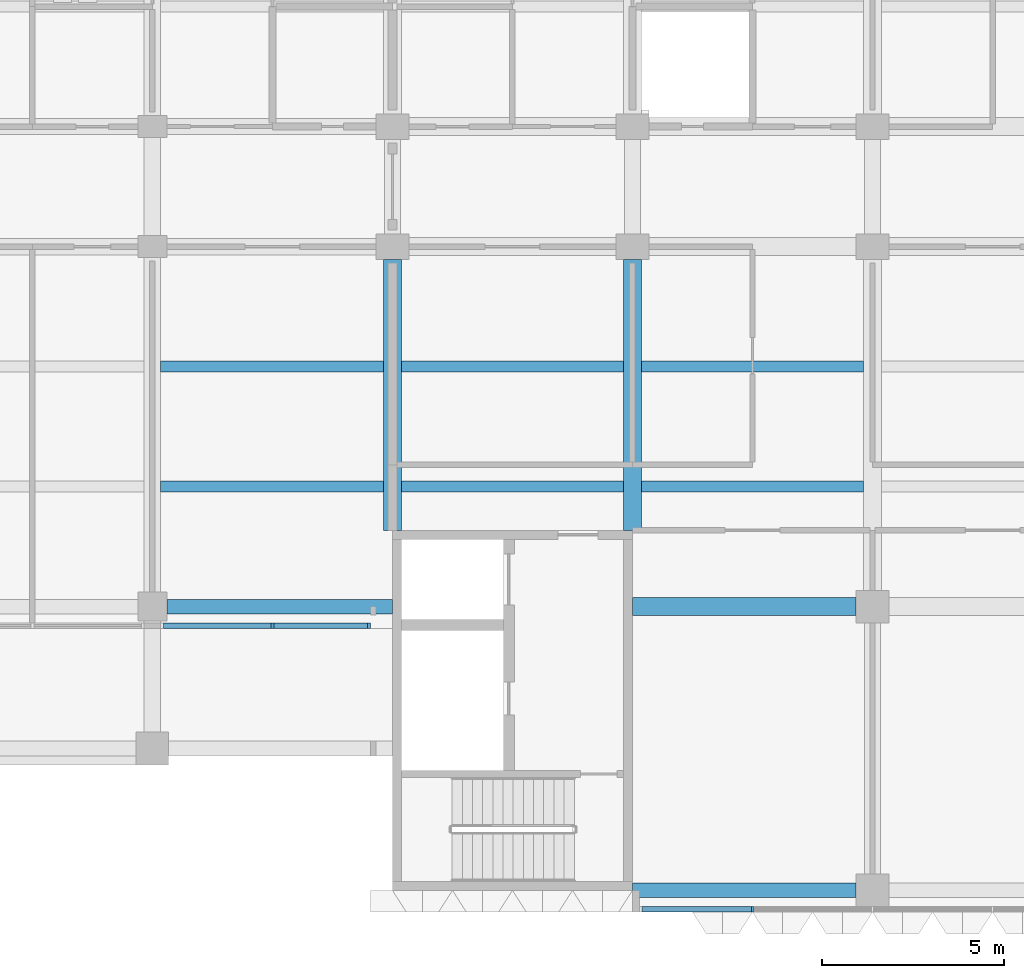
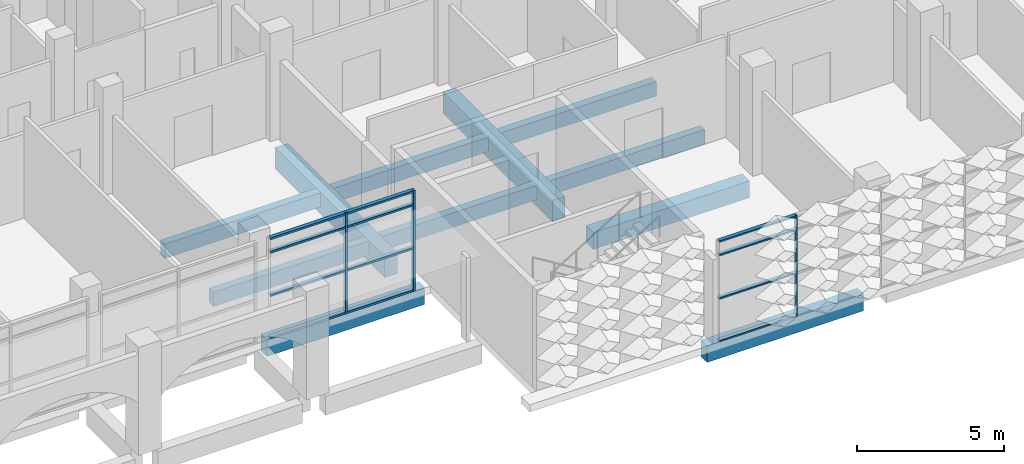
# One storey, part 7 of 87: 15 members, 11 beams, 2 elements without a shape of their own.
"""IFC4 building model written with IfcOpenShell, lengths in metres."""

from ifc_helpers import new_model, si_unit, direction, frame, origin, origin_2d, place, context, subcontext, project, spatial, rectangle, extrude, material, material_profile, profile_set, type_object, element, aggregate, save


model = new_model("IFC4")

# Units and contexts
model_context = context("Model", 3, precision=1e-05, world=origin(), true_north=direction((0.0, 1.0)))
body_context = subcontext(model_context, "Body", "Model", "MODEL_VIEW")
ifc_project = project(units=[si_unit("LENGTHUNIT", "METRE"), si_unit("AREAUNIT", "SQUARE_METRE"), si_unit("VOLUMEUNIT", "CUBIC_METRE"), si_unit("PLANEANGLEUNIT", "RADIAN"), si_unit("MASSUNIT", "GRAM", prefix="KILO")], contexts=[model_context])

# Site, building, storey
site_placement = place(None, origin())
site = spatial("IfcSite", under=ifc_project, at=site_placement, CompositionType="ELEMENT")
building_placement = place(site_placement, origin())
building = spatial("IfcBuilding", under=site, at=building_placement, Name="Lantern Court Research Institute", CompositionType="ELEMENT")
storey_placement = place(building_placement, frame((0.0, 0.0, 5.39990234375)))
storey = spatial("IfcBuildingStorey", under=building, at=storey_placement, Name="L01", CompositionType="ELEMENT", Elevation=5.39990234375)

# Curtain wall, member
ifc_material_1 = material(Name="Aluminium alloy 6063-T6", Category="aluminium")
curtain_wall_type_1 = type_object("IfcCurtainWallType", Name="Curtain wall 20200 x 4200 x 150 aluminium frame", PredefinedType="NOTDEFINED", material=ifc_material_1)
curtain_wall_1_placement = place(storey_placement, origin())
curtain_wall_1 = element("IfcCurtainWall", 1, at=curtain_wall_1_placement, inside=storey, type_object=curtain_wall_type_1, Name="Curtain wall CW033", PredefinedType="NOTDEFINED")
ifc_material_2 = material(Name="Aluminium alloy 6063-T6", Category="aluminium")
ifc_material_profile_1 = material_profile(ifc_material_2, rectangle(XDim=0.14990234375, YDim=0.06005859375, at=origin_2d()), Name="Mullion 150 x 60")
ifc_profile_set_1 = profile_set([ifc_material_profile_1], Name="Aluminium alloy 6063-T6")
member_type_1 = type_object("IfcMemberType", Name="Mullion 150 x 60 aluminium", PredefinedType="MULLION", material=ifc_profile_set_1)
member_1_placement = place(storey_placement, frame((62.699951171875, -8.324951171875, 0.0), z_axis=(0.0, 0.0, 1.0), x_axis=(0.0, -1.0, 0.0)))
member_1 = element("IfcMember", 2, at=member_1_placement, type_object=member_type_1, Name="CW033 mullion 2", PredefinedType="MULLION", context=body_context, shape_type="SweptSolid", body=[
    extrude(rectangle(XDim=0.14990234375, YDim=0.06005859375, at=origin_2d()), origin(), (0.0, 0.0, 1.0), 4.2001953125),
])

# Curtain wall, members
ifc_material_3 = material(Name="Aluminium alloy 6063-T6", Category="aluminium")
curtain_wall_type_2 = type_object("IfcCurtainWallType", Name="Curtain wall 5775 x 4200 x 150 aluminium frame", PredefinedType="NOTDEFINED", material=ifc_material_3)
curtain_wall_2_placement = place(storey_placement, origin())
curtain_wall_2 = element("IfcCurtainWall", 3, at=curtain_wall_2_placement, inside=storey, type_object=curtain_wall_type_2, Name="Curtain wall CW030", PredefinedType="NOTDEFINED")
ifc_material_4 = material(Name="Aluminium alloy 6063-T6", Category="aluminium")
ifc_material_profile_2 = material_profile(ifc_material_4, rectangle(XDim=0.14990234375, YDim=0.080078125, at=origin_2d()), Name="Mullion 150 x 80")
ifc_profile_set_2 = profile_set([ifc_material_profile_2], Name="Aluminium alloy 6063-T6")
member_type_2 = type_object("IfcMemberType", Name="Mullion 150 x 80 aluminium", PredefinedType="MULLION", material=ifc_profile_set_2)
member_2_placement = place(storey_placement, frame((49.5, -0.52490234375, 0.0), z_axis=(0.0, 0.0, 1.0), x_axis=(0.0, -1.0, 0.0)))
member_2 = element("IfcMember", 4, at=member_2_placement, type_object=member_type_2, Name="CW030 mullion 2", PredefinedType="MULLION", context=body_context, shape_type="SweptSolid", body=[
    extrude(rectangle(XDim=0.14990234375, YDim=0.080078125, at=origin_2d()), origin(), (0.0, 0.0, 1.0), 4.2001953125),
])
member_3_placement = place(storey_placement, frame((52.159912109375, -0.52490234375, 0.0), z_axis=(0.0, 0.0, 1.0), x_axis=(0.0, -1.0, 0.0)))
member_3 = element("IfcMember", 5, at=member_3_placement, type_object=member_type_2, Name="CW030 mullion 3", PredefinedType="MULLION", context=body_context, shape_type="SweptSolid", body=[
    extrude(rectangle(XDim=0.14990234375, YDim=0.080078125, at=origin_2d()), origin(), (0.0, 0.0, 1.0), 4.2001953125),
])

# Beams
ifc_material_5 = material(Name="Concrete C40/50", Category="concrete")
ifc_material_profile_3 = material_profile(ifc_material_5, rectangle(XDim=0.5, YDim=0.699951171875, at=origin_2d()), Name="RC beam 500 x 700")
ifc_profile_set_3 = profile_set([ifc_material_profile_3], Name="Concrete C40/50")
beam_type_1 = type_object("IfcBeamType", Name="RC beam 500 x 700", PredefinedType="BEAM", material=ifc_profile_set_3)
beam_1_placement = place(storey_placement, frame((59.39990234375, 0.0, -0.64990234375), z_axis=(1.0, 0.0, 0.0), x_axis=(0.0, 1.0, 0.0)))
element("IfcBeam", 6, at=beam_1_placement, inside=storey, type_object=beam_type_1, Name="Beam L01 grid A/10-11", PredefinedType="BEAM", context=body_context, shape_type="SweptSolid", body=[
    extrude(rectangle(XDim=0.5, YDim=0.699951171875, at=origin_2d()), origin(), (0.0, 0.0, 1.0), 6.150146484375),
])
ifc_material_6 = material(Name="Concrete C40/50", Category="concrete")
ifc_material_profile_4 = material_profile(ifc_material_6, rectangle(XDim=0.39990234375, YDim=0.699951171875, at=origin_2d()), Name="RC beam 400 x 700")
ifc_profile_set_4 = profile_set([ifc_material_profile_4], Name="Concrete C40/50")
beam_type_2 = type_object("IfcBeamType", Name="RC edge beam 400 x 700", PredefinedType="BEAM", material=ifc_profile_set_4)
beam_2_placement = place(storey_placement, frame((46.60009765625, 0.0, -0.64990234375), z_axis=(1.0, 0.0, 0.0), x_axis=(0.0, 1.0, 0.0)))
element("IfcBeam", 7, at=beam_2_placement, inside=storey, type_object=beam_type_2, Name="Edge beam L01 grid A/8-9", PredefinedType="BEAM", context=body_context, shape_type="SweptSolid", body=[
    extrude(rectangle(XDim=0.39990234375, YDim=0.699951171875, at=origin_2d()), origin(), (0.0, 0.0, 1.0), 6.199951171875),
])
beam_3_placement = place(storey_placement, frame((59.39990234375, -7.800048828125, -0.64990234375), z_axis=(1.0, 0.0, 0.0), x_axis=(0.0, 1.0, 0.0)))
element("IfcBeam", 8, at=beam_3_placement, inside=storey, type_object=beam_type_2, Name="Edge beam L01 grid Z/10-11", PredefinedType="BEAM", context=body_context, shape_type="SweptSolid", body=[
    extrude(rectangle(XDim=0.39990234375, YDim=0.699951171875, at=origin_2d()), origin(), (0.0, 0.0, 1.0), 6.150146484375),
])
ifc_material_7 = material(Name="Concrete C40/50", Category="concrete")
ifc_material_profile_5 = material_profile(ifc_material_7, rectangle(XDim=0.5, YDim=0.89990234375, at=origin_2d()), Name="RC beam 500 x 900")
ifc_profile_set_5 = profile_set([ifc_material_profile_5], Name="Concrete C40/50")
beam_type_3 = type_object("IfcBeamType", Name="RC girder 500 x 900", PredefinedType="BEAM", material=ifc_profile_set_5)
for number, where, z_axis, x_axis, name in (
    (9, (52.800048828125, 2.10009765625, -0.75), (0.0, 1.0, 0.0), (-1.0, 0.0, 0.0), "Girder L01 grid 9/A-B"),
    (10, (59.39990234375, 2.10009765625, -0.75), (0.0, 1.0, 0.0), (-1.0, 0.0, 0.0), "Girder L01 grid 10/A-B"),
):
    element("IfcBeam", number, at=place(storey_placement, frame(where, z_axis=z_axis, x_axis=x_axis)), inside=storey, type_object=beam_type_3, Name=name, PredefinedType="BEAM", context=body_context, shape_type="SweptSolid", body=[
        extrude(rectangle(XDim=0.5, YDim=0.89990234375, at=origin_2d()), origin(), (0.0, 0.0, 1.0), 7.449951171875),
    ])
ifc_material_8 = material(Name="Concrete C40/50", Category="concrete")
ifc_material_profile_6 = material_profile(ifc_material_8, rectangle(XDim=0.300048828125, YDim=0.60009765625, at=origin_2d()), Name="RC beam 300 x 600")
ifc_profile_set_6 = profile_set([ifc_material_profile_6], Name="Concrete C40/50")
beam_type_4 = type_object("IfcBeamType", Name="RC secondary beam 300 x 600", PredefinedType="BEAM", material=ifc_profile_set_6)
for number, where, z_axis, x_axis, name in (
    (11, (46.425048828125, 3.300048828125, -0.599853515625), (1.0, 0.0, 0.0), (0.0, 1.0, 0.0), "Secondary beam L01 grids 8-9 / A-B, line 1"),
    (12, (46.425048828125, 6.60009765625, -0.599853515625), (1.0, 0.0, 0.0), (0.0, 1.0, 0.0), "Secondary beam L01 grids 8-9 / A-B, line 2"),
):
    element("IfcBeam", number, at=place(storey_placement, frame(where, z_axis=z_axis, x_axis=x_axis)), inside=storey, type_object=beam_type_4, Name=name, PredefinedType="BEAM", context=body_context, shape_type="SweptSolid", body=[
        extrude(rectangle(XDim=0.300048828125, YDim=0.60009765625, at=origin_2d()), origin(), (0.0, 0.0, 1.0), 6.125),
    ])
beam_4_placement = place(storey_placement, frame((53.050048828125, 3.300048828125, -0.599853515625), z_axis=(1.0, 0.0, 0.0), x_axis=(0.0, 1.0, 0.0)))
element("IfcBeam", 13, at=beam_4_placement, inside=storey, type_object=beam_type_4, Name="Secondary beam L01 grids 9-10 / A-B, line 1", PredefinedType="BEAM", context=body_context, shape_type="SweptSolid", body=[
    extrude(rectangle(XDim=0.300048828125, YDim=0.60009765625, at=origin_2d()), origin(), (0.0, 0.0, 1.0), 6.099853515625),
])
beam_5_placement = place(storey_placement, frame((59.64990234375, 3.300048828125, -0.599853515625), z_axis=(1.0, 0.0, 0.0), x_axis=(0.0, 1.0, 0.0)))
element("IfcBeam", 14, at=beam_5_placement, inside=storey, type_object=beam_type_4, Name="Secondary beam L01 grids 10-11 / A-B, line 1", PredefinedType="BEAM", context=body_context, shape_type="SweptSolid", body=[
    extrude(rectangle(XDim=0.300048828125, YDim=0.60009765625, at=origin_2d()), origin(), (0.0, 0.0, 1.0), 6.10009765625),
])
beam_6_placement = place(storey_placement, frame((53.050048828125, 6.60009765625, -0.599853515625), z_axis=(1.0, 0.0, 0.0), x_axis=(0.0, 1.0, 0.0)))
element("IfcBeam", 15, at=beam_6_placement, inside=storey, type_object=beam_type_4, Name="Secondary beam L01 grids 9-10 / A-B, line 2", PredefinedType="BEAM", context=body_context, shape_type="SweptSolid", body=[
    extrude(rectangle(XDim=0.300048828125, YDim=0.60009765625, at=origin_2d()), origin(), (0.0, 0.0, 1.0), 6.099853515625),
])
beam_7_placement = place(storey_placement, frame((59.64990234375, 6.60009765625, -0.599853515625), z_axis=(1.0, 0.0, 0.0), x_axis=(0.0, 1.0, 0.0)))
element("IfcBeam", 16, at=beam_7_placement, inside=storey, type_object=beam_type_4, Name="Secondary beam L01 grids 10-11 / A-B, line 2", PredefinedType="BEAM", context=body_context, shape_type="SweptSolid", body=[
    extrude(rectangle(XDim=0.300048828125, YDim=0.60009765625, at=origin_2d()), origin(), (0.0, 0.0, 1.0), 6.10009765625),
])

# Member
ifc_material_9 = material(Name="Aluminium alloy 6063-T6", Category="aluminium")
ifc_material_profile_7 = material_profile(ifc_material_9, rectangle(XDim=0.14990234375, YDim=0.06005859375, at=origin_2d()), Name="Transom 150 x 60")
ifc_profile_set_7 = profile_set([ifc_material_profile_7], Name="Aluminium alloy 6063-T6")
member_type_3 = type_object("IfcMemberType", Name="Transom 150 x 60 aluminium", PredefinedType="USERDEFINED", material=ifc_profile_set_7)
member_4_placement = place(storey_placement, frame((62.669921875, -8.324951171875, 0.030029296875), z_axis=(-1.0, 0.0, 0.0), x_axis=(0.0, -1.0, 0.0)))
member_4 = element("IfcMember", 17, at=member_4_placement, type_object=member_type_3, Name="CW033 transom 1.1", ObjectType="TRANSOM", PredefinedType="USERDEFINED", context=body_context, shape_type="SweptSolid", body=[
    extrude(rectangle(XDim=0.14990234375, YDim=0.06005859375, at=origin_2d()), origin(), (0.0, 0.0, 1.0), 3.010009765625),
])

member_5_placement = place(storey_placement, frame((62.669921875, -8.324951171875, 1.800048828125), z_axis=(-1.0, 0.0, 0.0), x_axis=(0.0, -1.0, 0.0)))
member_5 = element("IfcMember", 18, at=member_5_placement, type_object=member_type_3, Name="CW033 transom 1.2", ObjectType="TRANSOM", PredefinedType="USERDEFINED", context=body_context, shape_type="SweptSolid", body=[
    extrude(rectangle(XDim=0.14990234375, YDim=0.06005859375, at=origin_2d()), origin(), (0.0, 0.0, 1.0), 3.010009765625),
])

member_6_placement = place(storey_placement, frame((62.669921875, -8.324951171875, 3.60009765625), z_axis=(-1.0, 0.0, 0.0), x_axis=(0.0, -1.0, 0.0)))
member_6 = element("IfcMember", 19, at=member_6_placement, type_object=member_type_3, Name="CW033 transom 1.3", ObjectType="TRANSOM", PredefinedType="USERDEFINED", context=body_context, shape_type="SweptSolid", body=[
    extrude(rectangle(XDim=0.14990234375, YDim=0.06005859375, at=origin_2d()), origin(), (0.0, 0.0, 1.0), 3.010009765625),
])

member_7_placement = place(storey_placement, frame((62.669921875, -8.324951171875, 4.170166015625), z_axis=(-1.0, 0.0, 0.0), x_axis=(0.0, -1.0, 0.0)))
member_7 = element("IfcMember", 20, at=member_7_placement, type_object=member_type_3, Name="CW033 transom 1.4", ObjectType="TRANSOM", PredefinedType="USERDEFINED", context=body_context, shape_type="SweptSolid", body=[
    extrude(rectangle(XDim=0.14990234375, YDim=0.06005859375, at=origin_2d()), origin(), (0.0, 0.0, 1.0), 3.010009765625),
])

aggregate(curtain_wall_1, [member_1, member_4, member_5, member_6, member_7])

ifc_material_10 = material(Name="Aluminium alloy 6063-T6", Category="aluminium")
ifc_material_profile_8 = material_profile(ifc_material_10, rectangle(XDim=0.14990234375, YDim=0.080078125, at=origin_2d()), Name="Transom 150 x 80")
ifc_profile_set_8 = profile_set([ifc_material_profile_8], Name="Aluminium alloy 6063-T6")
member_type_4 = type_object("IfcMemberType", Name="Transom 150 x 80 aluminium", PredefinedType="USERDEFINED", material=ifc_profile_set_8)
member_8_placement = place(storey_placement, frame((49.4599609375, -0.52490234375, 0.0400390625), z_axis=(-1.0, 0.0, 0.0), x_axis=(0.0, -1.0, 0.0)))
member_8 = element("IfcMember", 21, at=member_8_placement, type_object=member_type_4, Name="CW030 transom 1.1", ObjectType="TRANSOM", PredefinedType="USERDEFINED", context=body_context, shape_type="SweptSolid", body=[
    extrude(rectangle(XDim=0.14990234375, YDim=0.080078125, at=origin_2d()), origin(), (0.0, 0.0, 1.0), 2.955078125),
])

member_9_placement = place(storey_placement, frame((49.4599609375, -0.52490234375, 1.800048828125), z_axis=(-1.0, 0.0, 0.0), x_axis=(0.0, -1.0, 0.0)))
member_9 = element("IfcMember", 22, at=member_9_placement, type_object=member_type_4, Name="CW030 transom 1.2", ObjectType="TRANSOM", PredefinedType="USERDEFINED", context=body_context, shape_type="SweptSolid", body=[
    extrude(rectangle(XDim=0.14990234375, YDim=0.080078125, at=origin_2d()), origin(), (0.0, 0.0, 1.0), 2.955078125),
])

member_10_placement = place(storey_placement, frame((49.4599609375, -0.52490234375, 3.60009765625), z_axis=(-1.0, 0.0, 0.0), x_axis=(0.0, -1.0, 0.0)))
member_10 = element("IfcMember", 23, at=member_10_placement, type_object=member_type_4, Name="CW030 transom 1.3", ObjectType="TRANSOM", PredefinedType="USERDEFINED", context=body_context, shape_type="SweptSolid", body=[
    extrude(rectangle(XDim=0.14990234375, YDim=0.080078125, at=origin_2d()), origin(), (0.0, 0.0, 1.0), 2.955078125),
])

member_11_placement = place(storey_placement, frame((49.4599609375, -0.52490234375, 4.16015625), z_axis=(-1.0, 0.0, 0.0), x_axis=(0.0, -1.0, 0.0)))
member_11 = element("IfcMember", 24, at=member_11_placement, type_object=member_type_4, Name="CW030 transom 1.4", ObjectType="TRANSOM", PredefinedType="USERDEFINED", context=body_context, shape_type="SweptSolid", body=[
    extrude(rectangle(XDim=0.14990234375, YDim=0.080078125, at=origin_2d()), origin(), (0.0, 0.0, 1.0), 2.955078125),
])

member_12_placement = place(storey_placement, frame((52.1201171875, -0.52490234375, 0.0400390625), z_axis=(-1.0, 0.0, 0.0), x_axis=(0.0, -1.0, 0.0)))
member_12 = element("IfcMember", 25, at=member_12_placement, type_object=member_type_4, Name="CW030 transom 2.1", ObjectType="TRANSOM", PredefinedType="USERDEFINED", context=body_context, shape_type="SweptSolid", body=[
    extrude(rectangle(XDim=0.14990234375, YDim=0.080078125, at=origin_2d()), origin(), (0.0, 0.0, 1.0), 2.580078125),
])

member_13_placement = place(storey_placement, frame((52.1201171875, -0.52490234375, 1.800048828125), z_axis=(-1.0, 0.0, 0.0), x_axis=(0.0, -1.0, 0.0)))
member_13 = element("IfcMember", 26, at=member_13_placement, type_object=member_type_4, Name="CW030 transom 2.2", ObjectType="TRANSOM", PredefinedType="USERDEFINED", context=body_context, shape_type="SweptSolid", body=[
    extrude(rectangle(XDim=0.14990234375, YDim=0.080078125, at=origin_2d()), origin(), (0.0, 0.0, 1.0), 2.580078125),
])

member_14_placement = place(storey_placement, frame((52.1201171875, -0.52490234375, 3.60009765625), z_axis=(-1.0, 0.0, 0.0), x_axis=(0.0, -1.0, 0.0)))
member_14 = element("IfcMember", 27, at=member_14_placement, type_object=member_type_4, Name="CW030 transom 2.3", ObjectType="TRANSOM", PredefinedType="USERDEFINED", context=body_context, shape_type="SweptSolid", body=[
    extrude(rectangle(XDim=0.14990234375, YDim=0.080078125, at=origin_2d()), origin(), (0.0, 0.0, 1.0), 2.580078125),
])

member_15_placement = place(storey_placement, frame((52.1201171875, -0.52490234375, 4.16015625), z_axis=(-1.0, 0.0, 0.0), x_axis=(0.0, -1.0, 0.0)))
member_15 = element("IfcMember", 28, at=member_15_placement, type_object=member_type_4, Name="CW030 transom 2.4", ObjectType="TRANSOM", PredefinedType="USERDEFINED", context=body_context, shape_type="SweptSolid", body=[
    extrude(rectangle(XDim=0.14990234375, YDim=0.080078125, at=origin_2d()), origin(), (0.0, 0.0, 1.0), 2.580078125),
])

aggregate(curtain_wall_2, [member_2, member_3, member_8, member_9, member_10, member_11, member_12, member_13, member_14, member_15])

save(model, "model.ifc")
